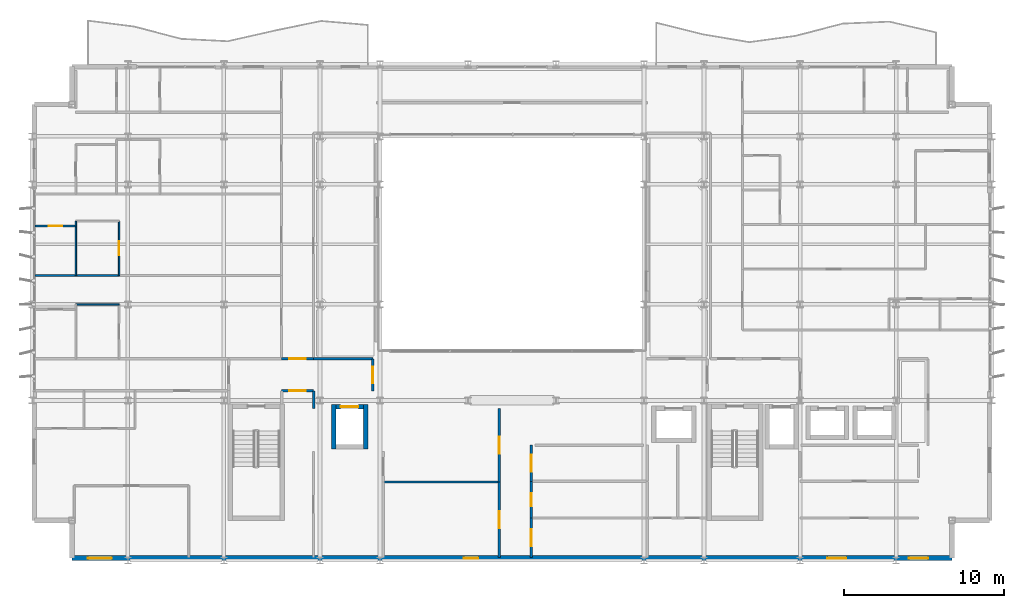
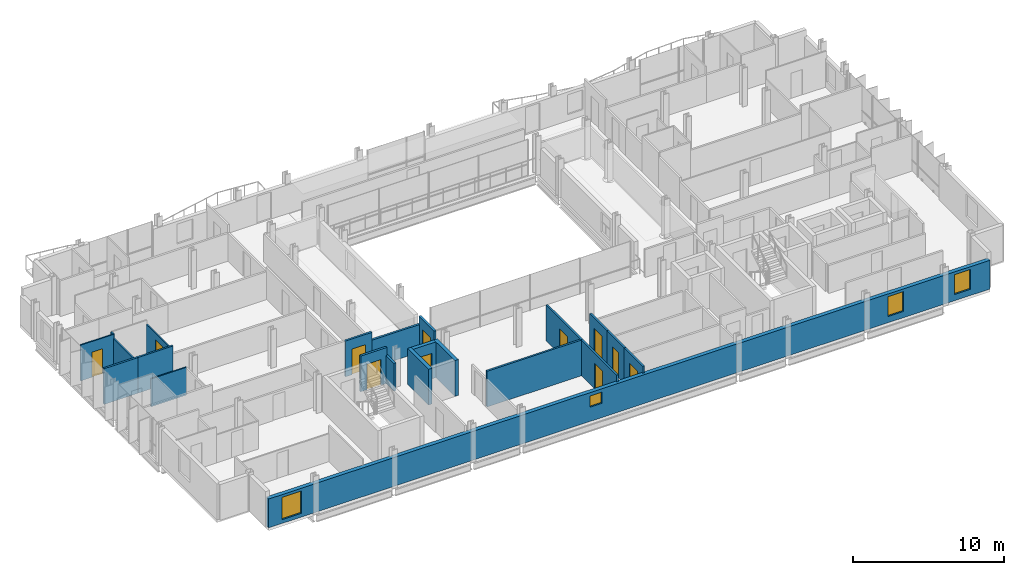
# One storey, part 30 of 39: 22 walls, 11 doors, 4 windows, 15 openings.
"""IFC4 building model written with IfcOpenShell, lengths in metres."""

from ifc_helpers import new_model, si_unit, direction, frame, frame_2d, origin, place, context, subcontext, project, spatial, rectangle, extrude, material, layer, layer_set, type_object, element, fill, save


model = new_model("IFC4")

# Units and contexts
model_context = context("Model", 3, precision=1e-05, world=origin(), true_north=direction((0.0, 1.0)))
body_context = subcontext(model_context, "Body", "Model", "MODEL_VIEW")
ifc_project = project(units=[si_unit("LENGTHUNIT", "METRE"), si_unit("AREAUNIT", "SQUARE_METRE"), si_unit("VOLUMEUNIT", "CUBIC_METRE"), si_unit("PLANEANGLEUNIT", "RADIAN"), si_unit("MASSUNIT", "GRAM", prefix="KILO")], contexts=[model_context])

# Site, building, storey
site_placement = place(None, origin())
site = spatial("IfcSite", under=ifc_project, at=site_placement, CompositionType="ELEMENT")
building_placement = place(site_placement, origin())
building = spatial("IfcBuilding", under=site, at=building_placement, Name="Brevholm Reach", CompositionType="ELEMENT")
storey_placement = place(building_placement, frame((0.0, 0.0, 154.199951171875)))
storey = spatial("IfcBuildingStorey", under=building, at=storey_placement, Name="L46", CompositionType="ELEMENT", Elevation=154.199951171875)

# Walls
ifc_material_1 = material(Name="Concrete C50/60", Category="concrete")
ifc_layer_1 = layer(ifc_material_1, 0.280029296875)
ifc_layer_set_1 = layer_set([ifc_layer_1], Name="Concrete C50/60")
wall_type_1 = type_object("IfcWallType", Name="WAL-COR-280", PredefinedType="SHEAR", material=ifc_layer_set_1)
for number, where, z_axis, x_axis, name in (
    (1, (18.85009765625, 6.9599609375, 0.0), (0.0, 0.0, 1.0), (0.0, 1.0, 0.0), "L46 Lift FFL-1 Shaft Wall W"),
    (2, (20.85009765625, 6.9599609375, 0.0), (0.0, 0.0, 1.0), (0.0, 1.0, 0.0), "L46 Lift FFL-1 Shaft Wall E"),
):
    element("IfcWall", number, at=place(storey_placement, frame(where, z_axis=z_axis, x_axis=x_axis)), inside=storey, type_object=wall_type_1, Name=name, PredefinedType="SHEAR", context=body_context, shape_type="SweptSolid", body=[
        extrude(rectangle(XDim=2.780029296875, YDim=0.280029296875, at=frame_2d((1.39013671875, 0.0))), origin(), (0.0, 0.0, 1.0), 2.880126953125),
    ])

# Wall, opening, door
wall_1_placement = place(storey_placement, frame((18.989990234375, 9.60009765625, 0.0), z_axis=(0.0, 0.0, 1.0), x_axis=(1.0, 0.0, 0.0)))
wall_1 = element("IfcWall", 3, at=wall_1_placement, inside=storey, type_object=wall_type_1, Name="L46 Lift FFL-1 Shaft Wall N", PredefinedType="SHEAR", context=body_context, shape_type="SweptSolid", body=[
    extrude(rectangle(XDim=1.719970703125, YDim=0.280029296875, at=frame_2d((0.85986328125, 0.0))), origin(), (0.0, 0.0, 1.0), 2.880126953125),
])
opening_1_placement = place(wall_1_placement, frame((0.31005859375, 0.0, 0.0)))
opening_1 = element("IfcOpeningElement", 4, at=opening_1_placement, cuts=wall_1, Name="Opening LD-FFL-1", PredefinedType="OPENING", context=body_context, shape_type="SweptSolid", body=[
    extrude(rectangle(XDim=1.10009765625, YDim=2.06005859375, at=frame_2d((0.550048828125, 1.030029296875))), frame((0.0, 0.14990234375, 0.0), z_axis=(0.0, -1.0, 0.0), x_axis=(1.0, 0.0, 0.0)), (0.0, 0.0, 1.0), 0.300048828125),
])
ifc_material_2 = material(Name="Brushed Stainless Steel Fire-Rated Sliding Lift Door", Category="steel")
door_type_1 = type_object("IfcDoorType", Name="DOR-LFT-1100", OperationType="NOTDEFINED", PredefinedType="DOOR", material=ifc_material_2)
door_1_placement = place(opening_1_placement, origin())
door_1 = element("IfcDoor", 5, at=door_1_placement, inside=storey, type_object=door_type_1, Name="L46 Lift FFL-1 Sliding Landing Door", OperationType="SLIDING_TO_RIGHT", OverallHeight=2.06005859375, OverallWidth=1.10009765625, PredefinedType="DOOR", context=body_context, shape_type="SweptSolid", body=[
    extrude(rectangle(XDim=1.10009765625, YDim=2.06005859375, at=frame_2d((0.550048828125, 1.030029296875))), frame((0.0, 0.02490234375, 0.0), z_axis=(0.0, -1.0, 0.0), x_axis=(1.0, 0.0, 0.0)), (0.0, 0.0, 1.0), 0.050048828125),
])
fill(opening_1, door_1)

# Wall, openings, windows
ifc_material_3 = material(Name="Concrete C40/50", Category="concrete")
ifc_layer_2 = layer(ifc_material_3, 0.300048828125)
ifc_layer_set_2 = layer_set([ifc_layer_2], Name="Concrete C40/50")
wall_type_2 = type_object("IfcWallType", Name="WAL-EXT-300", PredefinedType="STANDARD", material=ifc_layer_set_2)
wall_2_placement = place(storey_placement, frame((2.5, 0.14990234375, 0.0), z_axis=(0.0, 0.0, 1.0), x_axis=(1.0, 0.0, 0.0)))
wall_2 = element("IfcWall", 6, at=wall_2_placement, inside=storey, type_object=wall_type_2, Name="L46 Facade Wall WAL-L46-S", PredefinedType="STANDARD", context=body_context, shape_type="SweptSolid", body=[
    extrude(rectangle(XDim=55.0, YDim=0.300048828125, at=frame_2d((27.5, 0.0))), origin(), (0.0, 0.0, 1.0), 2.322021484375),
])
opening_2_placement = place(wall_2_placement, frame((1.0, 0.0, 0.302001953125)))
opening_2 = element("IfcOpeningElement", 7, at=opening_2_placement, cuts=wall_2, Name="Opening WN-05", PredefinedType="OPENING", context=body_context, shape_type="SweptSolid", body=[
    extrude(rectangle(XDim=1.5, YDim=1.800048828125, at=frame_2d((0.75, 0.89990234375))), frame((0.0, 0.159912109375, 0.0), z_axis=(0.0, -1.0, 0.0), x_axis=(1.0, 0.0, 0.0)), (0.0, 0.0, 1.0), 0.320068359375),
])
opening_3_placement = place(wall_2_placement, frame((24.5, 0.0, 1.14990234375)))
opening_3 = element("IfcOpeningElement", 8, at=opening_3_placement, cuts=wall_2, Name="Opening WN-09", PredefinedType="OPENING", context=body_context, shape_type="SweptSolid", body=[
    extrude(rectangle(XDim=0.89990234375, YDim=0.89990234375, at=frame_2d((0.449951171875, 0.449951171875))), frame((0.0, 0.159912109375, 0.0), z_axis=(0.0, -1.0, 0.0), x_axis=(1.0, 0.0, 0.0)), (0.0, 0.0, 1.0), 0.320068359375),
])
opening_4_placement = place(wall_2_placement, frame((47.199951171875, 0.0, 0.501953125)))
opening_4 = element("IfcOpeningElement", 9, at=opening_4_placement, cuts=wall_2, Name="Opening WN-08", PredefinedType="OPENING", context=body_context, shape_type="SweptSolid", body=[
    extrude(rectangle(XDim=1.199951171875, YDim=1.60009765625, at=frame_2d((0.60009765625, 0.800048828125))), frame((0.0, 0.159912109375, 0.0), z_axis=(0.0, -1.0, 0.0), x_axis=(1.0, 0.0, 0.0)), (0.0, 0.0, 1.0), 0.320068359375),
])
opening_5_placement = place(wall_2_placement, frame((52.300048828125, 0.0, 0.501953125)))
opening_5 = element("IfcOpeningElement", 10, at=opening_5_placement, cuts=wall_2, Name="Opening WN-08", PredefinedType="OPENING", context=body_context, shape_type="SweptSolid", body=[
    extrude(rectangle(XDim=1.199951171875, YDim=1.60009765625, at=frame_2d((0.60009765625, 0.800048828125))), frame((0.0, 0.159912109375, 0.0), z_axis=(0.0, -1.0, 0.0), x_axis=(1.0, 0.0, 0.0)), (0.0, 0.0, 1.0), 0.320068359375),
])
ifc_material_4 = material(Name="Dark Anodised Aluminium and Solar-Control IGU Glass", Category="aluminium")
window_type_1 = type_object("IfcWindowType", Name="WIN-POR-0900", PartitioningType="SINGLE_PANEL", PredefinedType="WINDOW", material=ifc_material_4)
window_1_placement = place(opening_3_placement, origin())
window_1 = element("IfcWindow", 11, at=window_1_placement, inside=storey, type_object=window_type_1, Name="L46 Window WIN-L46-S-POR", OverallHeight=0.89990234375, OverallWidth=0.89990234375, PartitioningType="SINGLE_PANEL", PredefinedType="WINDOW", context=body_context, shape_type="SweptSolid", body=[
    extrude(rectangle(XDim=0.89990234375, YDim=0.89990234375, at=frame_2d((0.449951171875, 0.449951171875))), frame((0.0, 0.030029296875, 0.0), z_axis=(0.0, -1.0, 0.0), x_axis=(1.0, 0.0, 0.0)), (0.0, 0.0, 1.0), 0.06005859375),
])
fill(opening_3, window_1)
ifc_material_5 = material(Name="Dark Anodised Aluminium and Solar-Control IGU Glass", Category="aluminium")
window_type_2 = type_object("IfcWindowType", Name="WIN-RES-1200", PartitioningType="SINGLE_PANEL", PredefinedType="WINDOW", material=ifc_material_5)
window_2_placement = place(opening_4_placement, origin())
window_2 = element("IfcWindow", 12, at=window_2_placement, inside=storey, type_object=window_type_2, Name="L46 Window WIN-L46-S-E1", OverallHeight=1.60009765625, OverallWidth=1.199951171875, PartitioningType="SINGLE_PANEL", PredefinedType="WINDOW", context=body_context, shape_type="SweptSolid", body=[
    extrude(rectangle(XDim=1.199951171875, YDim=1.60009765625, at=frame_2d((0.60009765625, 0.800048828125))), frame((0.0, 0.030029296875, 0.0), z_axis=(0.0, -1.0, 0.0), x_axis=(1.0, 0.0, 0.0)), (0.0, 0.0, 1.0), 0.06005859375),
])
fill(opening_4, window_2)
window_3_placement = place(opening_5_placement, origin())
window_3 = element("IfcWindow", 13, at=window_3_placement, inside=storey, type_object=window_type_2, Name="L46 Window WIN-L46-S-E2", OverallHeight=1.60009765625, OverallWidth=1.199951171875, PartitioningType="SINGLE_PANEL", PredefinedType="WINDOW", context=body_context, shape_type="SweptSolid", body=[
    extrude(rectangle(XDim=1.199951171875, YDim=1.60009765625, at=frame_2d((0.60009765625, 0.800048828125))), frame((0.0, 0.030029296875, 0.0), z_axis=(0.0, -1.0, 0.0), x_axis=(1.0, 0.0, 0.0)), (0.0, 0.0, 1.0), 0.06005859375),
])
fill(opening_5, window_3)
ifc_material_6 = material(Name="Dark Anodised Aluminium and Solar-Control IGU Glass", Category="aluminium")
window_type_3 = type_object("IfcWindowType", Name="WIN-RES-1500", PartitioningType="SINGLE_PANEL", PredefinedType="WINDOW", material=ifc_material_6)
window_4_placement = place(opening_2_placement, origin())
window_4 = element("IfcWindow", 14, at=window_4_placement, inside=storey, type_object=window_type_3, Name="L46 Window WIN-L46-S-W1", OverallHeight=1.800048828125, OverallWidth=1.5, PartitioningType="SINGLE_PANEL", PredefinedType="WINDOW", context=body_context, shape_type="SweptSolid", body=[
    extrude(rectangle(XDim=1.5, YDim=1.800048828125, at=frame_2d((0.75, 0.89990234375))), frame((0.0, 0.030029296875, 0.0), z_axis=(0.0, -1.0, 0.0), x_axis=(1.0, 0.0, 0.0)), (0.0, 0.0, 1.0), 0.06005859375),
])
fill(opening_2, window_4)

# Walls
ifc_material_7 = material(Name="Moisture-Resistant Acoustic Gypsum Stud Partition 100 mm", Category="gypsum")
ifc_layer_3 = layer(ifc_material_7, 0.10009765625)
ifc_layer_set_3 = layer_set([ifc_layer_3], Name="Moisture-Resistant Acoustic Gypsum Stud Partition 100 mm")
wall_type_3 = type_object("IfcWallType", Name="WAL-PRT-100", PredefinedType="PARTITIONING", material=ifc_layer_set_3)
wall_3_placement = place(storey_placement, frame((2.75, 16.0, 0.0), z_axis=(0.0, 0.0, 1.0), x_axis=(1.0, 0.0, 0.0)))
element("IfcWall", 15, at=wall_3_placement, inside=storey, type_object=wall_type_3, Name="L46 Internal Partition 072", PredefinedType="PARTITIONING", context=body_context, shape_type="SweptSolid", body=[
    extrude(rectangle(XDim=2.699951171875, YDim=0.10009765625, at=frame_2d((1.35009765625, 0.0))), origin(), (0.0, 0.0, 1.0), 2.242919921875),
])
wall_4_placement = place(storey_placement, frame((2.75, 17.803955078125, 0.0), z_axis=(0.0, 0.0, 1.0), x_axis=(0.0, 1.0, 0.0)))
element("IfcWall", 16, at=wall_4_placement, inside=storey, type_object=wall_type_3, Name="L46 Internal Partition 077", PredefinedType="PARTITIONING", context=body_context, shape_type="SweptSolid", body=[
    extrude(rectangle(XDim=3.095947265625, YDim=0.10009765625, at=frame_2d((1.5478515625, 0.0))), origin(), (0.0, 0.0, 1.0), 2.5517578125),
])

# Wall, opening, door
wall_5_placement = place(storey_placement, frame((0.199951171875, 20.89990234375, 0.0), z_axis=(0.0, 0.0, 1.0), x_axis=(1.0, 0.0, 0.0)))
wall_5 = element("IfcWall", 17, at=wall_5_placement, inside=storey, type_object=wall_type_3, Name="L46 Internal Partition 078", PredefinedType="PARTITIONING", context=body_context, shape_type="SweptSolid", body=[
    extrude(rectangle(XDim=2.550048828125, YDim=0.10009765625, at=frame_2d((1.27490234375, 0.0))), origin(), (0.0, 0.0, 1.0), 2.880126953125),
])
opening_6_placement = place(wall_5_placement, frame((0.864990234375, 0.0, 0.0)))
opening_6 = element("IfcOpeningElement", 18, at=opening_6_placement, cuts=wall_5, Name="Opening ID-03", PredefinedType="OPENING", context=body_context, shape_type="SweptSolid", body=[
    extrude(rectangle(XDim=0.820068359375, YDim=2.02001953125, at=frame_2d((0.41015625, 1.010009765625))), frame((0.0, 0.06005859375, 0.0), z_axis=(0.0, -1.0, 0.0), x_axis=(1.0, 0.0, 0.0)), (0.0, 0.0, 1.0), 0.1201171875),
])
ifc_material_8 = material(Name="Moisture-Resistant Painted Timber Internal Bathroom Door", Category="wood")
door_type_2 = type_object("IfcDoorType", Name="DOR-BATH-820", OperationType="NOTDEFINED", PredefinedType="DOOR", material=ifc_material_8)
door_2_placement = place(opening_6_placement, origin())
door_2 = element("IfcDoor", 19, at=door_2_placement, inside=storey, type_object=door_type_2, Name="L46 Internal Door 036", OperationType="SINGLE_SWING_RIGHT", OverallHeight=2.02001953125, OverallWidth=0.820068359375, PredefinedType="DOOR", context=body_context, shape_type="SweptSolid", body=[
    extrude(rectangle(XDim=0.820068359375, YDim=2.02001953125, at=frame_2d((0.41015625, 1.010009765625))), frame((0.0, 0.02490234375, 0.0), z_axis=(0.0, -1.0, 0.0), x_axis=(1.0, 0.0, 0.0)), (0.0, 0.0, 1.0), 0.050048828125),
])
fill(opening_6, door_2)

wall_6_placement = place(storey_placement, frame((5.449951171875, 17.803955078125, 0.0), z_axis=(0.0, 0.0, 1.0), x_axis=(0.0, 1.0, 0.0)))
wall_6 = element("IfcWall", 20, at=wall_6_placement, inside=storey, type_object=wall_type_3, Name="L46 Internal Partition 079", PredefinedType="PARTITIONING", context=body_context, shape_type="SweptSolid", body=[
    extrude(rectangle(XDim=3.39599609375, YDim=0.10009765625, at=frame_2d((1.697998046875, 0.0))), origin(), (0.0, 0.0, 1.0), 2.5517578125),
])
opening_7_placement = place(wall_6_placement, frame((1.258056640625, 0.0, 0.0)))
opening_7 = element("IfcOpeningElement", 21, at=opening_7_placement, cuts=wall_6, Name="Opening ID-01", PredefinedType="OPENING", context=body_context, shape_type="SweptSolid", body=[
    extrude(rectangle(XDim=0.8798828125, YDim=2.0400390625, at=frame_2d((0.43994140625, 1.02001953125))), frame((0.0, 0.06005859375, 0.0), z_axis=(0.0, -1.0, 0.0), x_axis=(1.0, 0.0, 0.0)), (0.0, 0.0, 1.0), 0.1201171875),
])
ifc_material_9 = material(Name="Lacquered Ash Solid-Core Acoustic Internal Door", Category="timber")
door_type_3 = type_object("IfcDoorType", Name="DOR-INT-880", OperationType="NOTDEFINED", PredefinedType="DOOR", material=ifc_material_9)
door_3_placement = place(opening_7_placement, origin())
door_3 = element("IfcDoor", 22, at=door_3_placement, inside=storey, type_object=door_type_3, Name="L46 Internal Door 037", OperationType="SINGLE_SWING_LEFT", OverallHeight=2.0400390625, OverallWidth=0.8798828125, PredefinedType="DOOR", context=body_context, shape_type="SweptSolid", body=[
    extrude(rectangle(XDim=0.8798828125, YDim=2.0400390625, at=frame_2d((0.43994140625, 1.02001953125))), frame((0.0, 0.02490234375, 0.0), z_axis=(0.0, -1.0, 0.0), x_axis=(1.0, 0.0, 0.0)), (0.0, 0.0, 1.0), 0.050048828125),
])
fill(opening_7, door_3)

# Wall
wall_7_placement = place(storey_placement, frame((2.75, 20.904052734375, 0.0), z_axis=(0.0, 0.0, 1.0), x_axis=(0.0, 1.0, 0.0)))
element("IfcWall", 23, at=wall_7_placement, inside=storey, type_object=wall_type_3, Name="L46 Internal Partition 081", PredefinedType="PARTITIONING", context=body_context, shape_type="SweptSolid", body=[
    extrude(rectangle(XDim=0.2958984375, YDim=0.10009765625, at=frame_2d((0.14794921875, 0.0))), origin(), (0.0, 0.0, 1.0), 2.880126953125),
])

# Wall, opening, door
ifc_material_10 = material(Name="Twin-Stud Acoustic Fire-Rated Gypsum Partition 140 mm", Category="gypsum")
ifc_layer_4 = layer(ifc_material_10, 0.139892578125)
ifc_layer_set_4 = layer_set([ifc_layer_4], Name="Twin-Stud Acoustic Fire-Rated Gypsum Partition 140 mm")
wall_type_4 = type_object("IfcWallType", Name="WAL-PRT-140", PredefinedType="PARTITIONING", material=ifc_layer_set_4)
wall_8_placement = place(storey_placement, frame((29.199951171875, 0.179931640625, 0.0), z_axis=(0.0, 0.0, 1.0), x_axis=(0.0, 1.0, 0.0)))
wall_8 = element("IfcWall", 24, at=wall_8_placement, inside=storey, type_object=wall_type_4, Name="L46 Internal Partition 001", PredefinedType="PARTITIONING", context=body_context, shape_type="SweptSolid", body=[
    extrude(rectangle(XDim=4.73828125, YDim=0.139892578125, at=frame_2d((2.369140625, 0.0))), origin(), (0.0, 0.0, 1.0), 2.880126953125),
])
opening_8_placement = place(wall_8_placement, frame((1.84423828125, 0.0, 0.0)))
opening_8 = element("IfcOpeningElement", 25, at=opening_8_placement, cuts=wall_8, Name="Opening FD-01", PredefinedType="OPENING", context=body_context, shape_type="SweptSolid", body=[
    extrude(rectangle(XDim=1.050048828125, YDim=2.06005859375, at=frame_2d((0.52490234375, 1.030029296875))), frame((0.0, 0.079833984375, 0.0), z_axis=(0.0, -1.0, 0.0), x_axis=(1.0, 0.0, 0.0)), (0.0, 0.0, 1.0), 0.159912109375),
])
ifc_material_11 = material(Name="Hardwood-Lipped Steel-Core Fire and Smoke Door", Category="steel")
door_type_4 = type_object("IfcDoorType", Name="DOR-INT-FD60S", OperationType="NOTDEFINED", PredefinedType="DOOR", material=ifc_material_11)
door_4_placement = place(opening_8_placement, origin())
door_4 = element("IfcDoor", 26, at=door_4_placement, inside=storey, type_object=door_type_4, Name="L46 Internal Door 001", OperationType="SINGLE_SWING_LEFT", OverallHeight=2.06005859375, OverallWidth=1.050048828125, PredefinedType="DOOR", context=body_context, shape_type="SweptSolid", body=[
    extrude(rectangle(XDim=1.050048828125, YDim=2.06005859375, at=frame_2d((0.52490234375, 1.030029296875))), frame((0.0, 0.02490234375, 0.0), z_axis=(0.0, -1.0, 0.0), x_axis=(1.0, 0.0, 0.0)), (0.0, 0.0, 1.0), 0.050048828125),
])
fill(opening_8, door_4)

wall_9_placement = place(storey_placement, frame((29.199951171875, 4.899658203125, 0.0), z_axis=(0.0, 0.0, 1.0), x_axis=(0.0, 1.0, 0.0)))
wall_9 = element("IfcWall", 27, at=wall_9_placement, inside=storey, type_object=wall_type_4, Name="L46 Internal Partition 002", PredefinedType="PARTITIONING", context=body_context, shape_type="SweptSolid", body=[
    extrude(rectangle(XDim=4.611572265625, YDim=0.139892578125, at=frame_2d((2.3056640625, 0.0))), origin(), (0.0, 0.0, 1.0), 2.880126953125),
])
opening_9_placement = place(wall_9_placement, frame((1.78076171875, 0.0, 0.0)))
opening_9 = element("IfcOpeningElement", 28, at=opening_9_placement, cuts=wall_9, Name="Opening FD-01", PredefinedType="OPENING", context=body_context, shape_type="SweptSolid", body=[
    extrude(rectangle(XDim=1.050048828125, YDim=2.06005859375, at=frame_2d((0.52490234375, 1.030029296875))), frame((0.0, 0.079833984375, 0.0), z_axis=(0.0, -1.0, 0.0), x_axis=(1.0, 0.0, 0.0)), (0.0, 0.0, 1.0), 0.159912109375),
])
door_5_placement = place(opening_9_placement, origin())
door_5 = element("IfcDoor", 29, at=door_5_placement, inside=storey, type_object=door_type_4, Name="L46 Internal Door 002", OperationType="SINGLE_SWING_RIGHT", OverallHeight=2.06005859375, OverallWidth=1.050048828125, PredefinedType="DOOR", context=body_context, shape_type="SweptSolid", body=[
    extrude(rectangle(XDim=1.050048828125, YDim=2.06005859375, at=frame_2d((0.52490234375, 1.030029296875))), frame((0.0, 0.02490234375, 0.0), z_axis=(0.0, -1.0, 0.0), x_axis=(1.0, 0.0, 0.0)), (0.0, 0.0, 1.0), 0.050048828125),
])
fill(opening_9, door_5)

wall_10_placement = place(storey_placement, frame((31.199951171875, 0.179931640625, 0.0), z_axis=(0.0, 0.0, 1.0), x_axis=(0.0, 1.0, 0.0)))
wall_10 = element("IfcWall", 30, at=wall_10_placement, inside=storey, type_object=wall_type_4, Name="L46 Internal Partition 003", PredefinedType="PARTITIONING", context=body_context, shape_type="SweptSolid", body=[
    extrude(rectangle(XDim=2.4814453125, YDim=0.139892578125, at=frame_2d((1.24072265625, 0.0))), origin(), (0.0, 0.0, 1.0), 2.880126953125),
])
opening_10_placement = place(wall_10_placement, frame((0.7158203125, 0.0, 0.0)))
opening_10 = element("IfcOpeningElement", 31, at=opening_10_placement, cuts=wall_10, Name="Opening FD-01", PredefinedType="OPENING", context=body_context, shape_type="SweptSolid", body=[
    extrude(rectangle(XDim=1.050048828125, YDim=2.06005859375, at=frame_2d((0.52490234375, 1.030029296875))), frame((0.0, 0.079833984375, 0.0), z_axis=(0.0, -1.0, 0.0), x_axis=(1.0, 0.0, 0.0)), (0.0, 0.0, 1.0), 0.159912109375),
])
door_6_placement = place(opening_10_placement, origin())
door_6 = element("IfcDoor", 32, at=door_6_placement, inside=storey, type_object=door_type_4, Name="L46 Internal Door 003", OperationType="SINGLE_SWING_LEFT", OverallHeight=2.06005859375, OverallWidth=1.050048828125, PredefinedType="DOOR", context=body_context, shape_type="SweptSolid", body=[
    extrude(rectangle(XDim=1.050048828125, YDim=2.06005859375, at=frame_2d((0.52490234375, 1.030029296875))), frame((0.0, 0.02490234375, 0.0), z_axis=(0.0, -1.0, 0.0), x_axis=(1.0, 0.0, 0.0)), (0.0, 0.0, 1.0), 0.050048828125),
])
fill(opening_10, door_6)

wall_11_placement = place(storey_placement, frame((31.199951171875, 2.642578125, 0.0), z_axis=(0.0, 0.0, 1.0), x_axis=(0.0, 1.0, 0.0)))
wall_11 = element("IfcWall", 33, at=wall_11_placement, inside=storey, type_object=wall_type_4, Name="L46 Internal Partition 004", PredefinedType="PARTITIONING", context=body_context, shape_type="SweptSolid", body=[
    extrude(rectangle(XDim=2.318603515625, YDim=0.139892578125, at=frame_2d((1.1591796875, 0.0))), origin(), (0.0, 0.0, 1.0), 2.880126953125),
])
opening_11_placement = place(wall_11_placement, frame((0.749267578125, 0.0, 0.0)))
opening_11 = element("IfcOpeningElement", 34, at=opening_11_placement, cuts=wall_11, Name="Opening ID-02", PredefinedType="OPENING", context=body_context, shape_type="SweptSolid", body=[
    extrude(rectangle(XDim=0.820068359375, YDim=2.02001953125, at=frame_2d((0.41015625, 1.010009765625))), frame((0.0, 0.079833984375, 0.0), z_axis=(0.0, -1.0, 0.0), x_axis=(1.0, 0.0, 0.0)), (0.0, 0.0, 1.0), 0.159912109375),
])
ifc_material_12 = material(Name="Moisture-Resistant Painted Timber Fire-Rated Riser and Service Door", Category="wood")
door_type_5 = type_object("IfcDoorType", Name="DOR-SRV-820", OperationType="NOTDEFINED", PredefinedType="DOOR", material=ifc_material_12)
door_7_placement = place(opening_11_placement, origin())
door_7 = element("IfcDoor", 35, at=door_7_placement, inside=storey, type_object=door_type_5, Name="L46 Internal Door 004", OperationType="SINGLE_SWING_RIGHT", OverallHeight=2.02001953125, OverallWidth=0.820068359375, PredefinedType="DOOR", context=body_context, shape_type="SweptSolid", body=[
    extrude(rectangle(XDim=0.820068359375, YDim=2.02001953125, at=frame_2d((0.41015625, 1.010009765625))), frame((0.0, 0.02490234375, 0.0), z_axis=(0.0, -1.0, 0.0), x_axis=(1.0, 0.0, 0.0)), (0.0, 0.0, 1.0), 0.050048828125),
])
fill(opening_11, door_7)

wall_12_placement = place(storey_placement, frame((31.199951171875, 4.942626953125, 0.0), z_axis=(0.0, 0.0, 1.0), x_axis=(0.0, 1.0, 0.0)))
wall_12 = element("IfcWall", 36, at=wall_12_placement, inside=storey, type_object=wall_type_4, Name="L46 Internal Partition 005", PredefinedType="PARTITIONING", context=body_context, shape_type="SweptSolid", body=[
    extrude(rectangle(XDim=2.2685546875, YDim=0.139892578125, at=frame_2d((1.13427734375, 0.0))), origin(), (0.0, 0.0, 1.0), 2.880126953125),
])
opening_12_placement = place(wall_12_placement, frame((0.609375, 0.0, 0.0)))
opening_12 = element("IfcOpeningElement", 37, at=opening_12_placement, cuts=wall_12, Name="Opening FD-01", PredefinedType="OPENING", context=body_context, shape_type="SweptSolid", body=[
    extrude(rectangle(XDim=1.050048828125, YDim=2.06005859375, at=frame_2d((0.52490234375, 1.030029296875))), frame((0.0, 0.079833984375, 0.0), z_axis=(0.0, -1.0, 0.0), x_axis=(1.0, 0.0, 0.0)), (0.0, 0.0, 1.0), 0.159912109375),
])
door_8_placement = place(opening_12_placement, origin())
door_8 = element("IfcDoor", 38, at=door_8_placement, inside=storey, type_object=door_type_4, Name="L46 Internal Door 005", OperationType="SINGLE_SWING_LEFT", OverallHeight=2.06005859375, OverallWidth=1.050048828125, PredefinedType="DOOR", context=body_context, shape_type="SweptSolid", body=[
    extrude(rectangle(XDim=1.050048828125, YDim=2.06005859375, at=frame_2d((0.52490234375, 1.030029296875))), frame((0.0, 0.02490234375, 0.0), z_axis=(0.0, -1.0, 0.0), x_axis=(1.0, 0.0, 0.0)), (0.0, 0.0, 1.0), 0.050048828125),
])
fill(opening_12, door_8)

# Walls
wall_13_placement = place(storey_placement, frame((21.949951171875, 4.906982421875, 0.0), z_axis=(0.0, 0.0, 1.0), x_axis=(1.0, 0.0, 0.0)))
element("IfcWall", 39, at=wall_13_placement, inside=storey, type_object=wall_type_4, Name="L46 Internal Partition 006", PredefinedType="PARTITIONING", context=body_context, shape_type="SweptSolid", body=[
    extrude(rectangle(XDim=7.24609375, YDim=0.139892578125, at=frame_2d((3.623046875, 0.0))), origin(), (0.0, 0.0, 1.0), 2.880126953125),
])
wall_14_placement = place(storey_placement, frame((0.199951171875, 17.800048828125, 0.0), z_axis=(0.0, 0.0, 1.0), x_axis=(1.0, 0.0, 0.0)))
element("IfcWall", 40, at=wall_14_placement, inside=storey, type_object=wall_type_4, Name="L46 Internal Partition 074", PredefinedType="PARTITIONING", context=body_context, shape_type="SweptSolid", body=[
    extrude(rectangle(XDim=2.561279296875, YDim=0.139892578125, at=frame_2d((1.28076171875, 0.0))), origin(), (0.0, 0.0, 1.0), 2.880126953125),
])
wall_15_placement = place(storey_placement, frame((2.74267578125, 17.800048828125, 0.0), z_axis=(0.0, 0.0, 1.0), x_axis=(1.0, 0.0, 0.0)))
element("IfcWall", 41, at=wall_15_placement, inside=storey, type_object=wall_type_4, Name="L46 Internal Partition 075", PredefinedType="PARTITIONING", context=body_context, shape_type="SweptSolid", body=[
    extrude(rectangle(XDim=2.718505859375, YDim=0.139892578125, at=frame_2d((1.359375, 0.0))), origin(), (0.0, 0.0, 1.0), 2.880126953125),
])
ifc_material_13 = material(Name="Twin-Frame Fire-Rated Gypsum Board and Mineral Wool 160 mm", Category="gypsum")
ifc_layer_5 = layer(ifc_material_13, 0.159912109375)
ifc_layer_set_5 = layer_set([ifc_layer_5], Name="Twin-Frame Fire-Rated Gypsum Board and Mineral Wool 160 mm")
wall_type_5 = type_object("IfcWallType", Name="WAL-PRT-160", PredefinedType="PARTITIONING", material=ifc_layer_set_5)
wall_16_placement = place(storey_placement, frame((17.60009765625, 9.48876953125, 0.0), z_axis=(0.0, 0.0, 1.0), x_axis=(0.0, 1.0, 0.0)))
element("IfcWall", 42, at=wall_16_placement, inside=storey, type_object=wall_type_5, Name="L46 Internal Partition 020", PredefinedType="PARTITIONING", context=body_context, shape_type="SweptSolid", body=[
    extrude(rectangle(XDim=1.111328125, YDim=0.159912109375, at=frame_2d((0.5556640625, 0.0))), origin(), (0.0, 0.0, 1.0), 2.242919921875),
])

# Wall, opening, door
wall_17_placement = place(storey_placement, frame((15.60009765625, 10.60009765625, 0.0), z_axis=(0.0, 0.0, 1.0), x_axis=(1.0, 0.0, 0.0)))
wall_17 = element("IfcWall", 43, at=wall_17_placement, inside=storey, type_object=wall_type_5, Name="L46 Internal Partition 021", PredefinedType="PARTITIONING", context=body_context, shape_type="SweptSolid", body=[
    extrude(rectangle(XDim=2.0, YDim=0.159912109375, at=frame_2d((1.0, 0.0))), origin(), (0.0, 0.0, 1.0), 2.880126953125),
])
opening_13_placement = place(wall_17_placement, frame((0.47509765625, 0.0, 0.0)))
opening_13 = element("IfcOpeningElement", 44, at=opening_13_placement, cuts=wall_17, Name="Opening FD-01", PredefinedType="OPENING", context=body_context, shape_type="SweptSolid", body=[
    extrude(rectangle(XDim=1.050048828125, YDim=2.06005859375, at=frame_2d((0.52490234375, 1.030029296875))), frame((0.0, 0.08984375, 0.0), z_axis=(0.0, -1.0, 0.0), x_axis=(1.0, 0.0, 0.0)), (0.0, 0.0, 1.0), 0.179931640625),
])
door_9_placement = place(opening_13_placement, origin())
door_9 = element("IfcDoor", 45, at=door_9_placement, inside=storey, type_object=door_type_4, Name="L46 Internal Door 012", OperationType="SINGLE_SWING_RIGHT", OverallHeight=2.06005859375, OverallWidth=1.050048828125, PredefinedType="DOOR", context=body_context, shape_type="SweptSolid", body=[
    extrude(rectangle(XDim=1.050048828125, YDim=2.06005859375, at=frame_2d((0.52490234375, 1.030029296875))), frame((0.0, 0.02490234375, 0.0), z_axis=(0.0, -1.0, 0.0), x_axis=(1.0, 0.0, 0.0)), (0.0, 0.0, 1.0), 0.050048828125),
])
fill(opening_13, door_9)

wall_18_placement = place(storey_placement, frame((21.300048828125, 10.588623046875, 0.0), z_axis=(0.0, 0.0, 1.0), x_axis=(0.0, 1.0, 0.0)))
wall_18 = element("IfcWall", 46, at=wall_18_placement, inside=storey, type_object=wall_type_5, Name="L46 Internal Partition 025", PredefinedType="PARTITIONING", context=body_context, shape_type="SweptSolid", body=[
    extrude(rectangle(XDim=2.011474609375, YDim=0.159912109375, at=frame_2d((1.005859375, 0.0))), origin(), (0.0, 0.0, 1.0), 2.880126953125),
])
opening_14_placement = place(wall_18_placement, frame((0.480712890625, 0.0, 0.0)))
opening_14 = element("IfcOpeningElement", 47, at=opening_14_placement, cuts=wall_18, Name="Opening FD-01", PredefinedType="OPENING", context=body_context, shape_type="SweptSolid", body=[
    extrude(rectangle(XDim=1.050048828125, YDim=2.06005859375, at=frame_2d((0.52490234375, 1.030029296875))), frame((0.0, 0.08984375, 0.0), z_axis=(0.0, -1.0, 0.0), x_axis=(1.0, 0.0, 0.0)), (0.0, 0.0, 1.0), 0.179931640625),
])
door_10_placement = place(opening_14_placement, origin())
door_10 = element("IfcDoor", 48, at=door_10_placement, inside=storey, type_object=door_type_4, Name="L46 Internal Door 013", OperationType="SINGLE_SWING_LEFT", OverallHeight=2.06005859375, OverallWidth=1.050048828125, PredefinedType="DOOR", context=body_context, shape_type="SweptSolid", body=[
    extrude(rectangle(XDim=1.050048828125, YDim=2.06005859375, at=frame_2d((0.52490234375, 1.030029296875))), frame((0.0, 0.02490234375, 0.0), z_axis=(0.0, -1.0, 0.0), x_axis=(1.0, 0.0, 0.0)), (0.0, 0.0, 1.0), 0.050048828125),
])
fill(opening_14, door_10)

wall_19_placement = place(storey_placement, frame((15.588623046875, 12.60009765625, 0.0), z_axis=(0.0, 0.0, 1.0), x_axis=(1.0, 0.0, 0.0)))
wall_19 = element("IfcWall", 49, at=wall_19_placement, inside=storey, type_object=wall_type_5, Name="L46 Internal Partition 026", PredefinedType="PARTITIONING", context=body_context, shape_type="SweptSolid", body=[
    extrude(rectangle(XDim=2.022705078125, YDim=0.159912109375, at=frame_2d((1.01123046875, 0.0))), origin(), (0.0, 0.0, 1.0), 2.880126953125),
])
opening_15_placement = place(wall_19_placement, frame((0.486328125, 0.0, 0.0)))
opening_15 = element("IfcOpeningElement", 50, at=opening_15_placement, cuts=wall_19, Name="Opening FD-01", PredefinedType="OPENING", context=body_context, shape_type="SweptSolid", body=[
    extrude(rectangle(XDim=1.050048828125, YDim=2.06005859375, at=frame_2d((0.52490234375, 1.030029296875))), frame((0.0, 0.08984375, 0.0), z_axis=(0.0, -1.0, 0.0), x_axis=(1.0, 0.0, 0.0)), (0.0, 0.0, 1.0), 0.179931640625),
])
door_11_placement = place(opening_15_placement, origin())
door_11 = element("IfcDoor", 51, at=door_11_placement, inside=storey, type_object=door_type_4, Name="L46 Internal Door 014", OperationType="SINGLE_SWING_RIGHT", OverallHeight=2.06005859375, OverallWidth=1.050048828125, PredefinedType="DOOR", context=body_context, shape_type="SweptSolid", body=[
    extrude(rectangle(XDim=1.050048828125, YDim=2.06005859375, at=frame_2d((0.52490234375, 1.030029296875))), frame((0.0, 0.02490234375, 0.0), z_axis=(0.0, -1.0, 0.0), x_axis=(1.0, 0.0, 0.0)), (0.0, 0.0, 1.0), 0.050048828125),
])
fill(opening_15, door_11)

# Wall
wall_20_placement = place(storey_placement, frame((17.5927734375, 12.60009765625, 0.0), z_axis=(0.0, 0.0, 1.0), x_axis=(1.0, 0.0, 0.0)))
element("IfcWall", 52, at=wall_20_placement, inside=storey, type_object=wall_type_5, Name="L46 Internal Partition 030", PredefinedType="PARTITIONING", context=body_context, shape_type="SweptSolid", body=[
    extrude(rectangle(XDim=3.707275390625, YDim=0.159912109375, at=frame_2d((1.853515625, 0.0))), origin(), (0.0, 0.0, 1.0), 2.242919921875),
])

save(model, "model.ifc")
